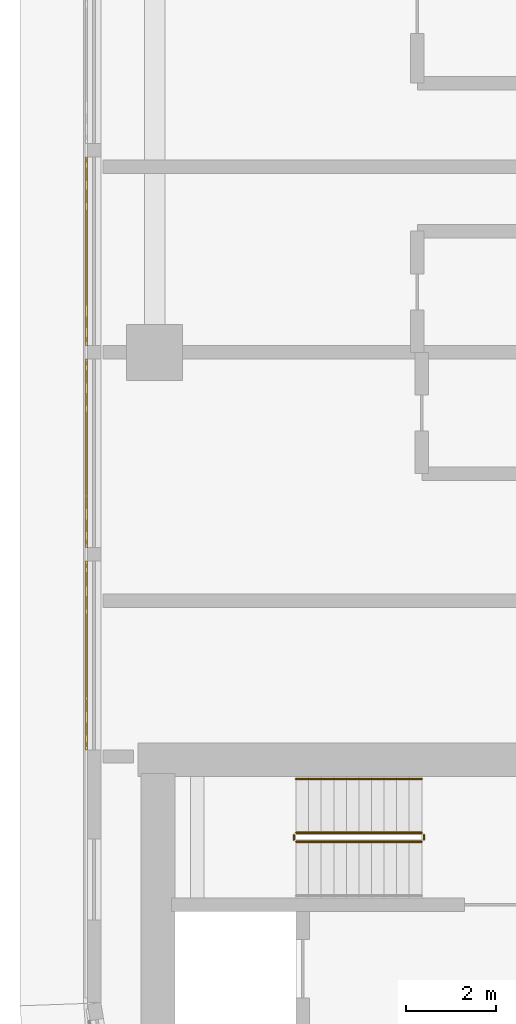
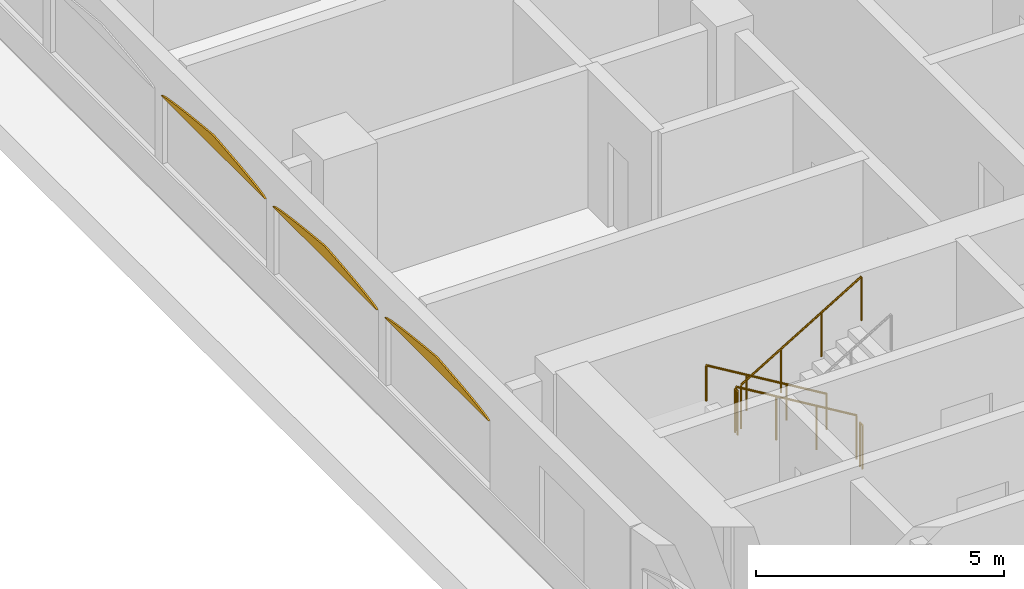
# One storey, part 18 of 25: 5 railings, 3 coverings.
"""IFC4 building model written with IfcOpenShell, lengths in metres."""

from ifc_helpers import new_model, si_unit, direction, frame, origin, origin_2d, place, context, subcontext, project, spatial, polyline, circle, outline, extrude, material, layer, layer_set, type_object, element, save


model = new_model("IFC4")

# Units and contexts
model_context = context("Model", 3, precision=1e-05, world=origin(), true_north=direction((0.0, 1.0)))
body_context = subcontext(model_context, "Body", "Model", "MODEL_VIEW")
ifc_project = project(units=[si_unit("LENGTHUNIT", "METRE"), si_unit("AREAUNIT", "SQUARE_METRE"), si_unit("VOLUMEUNIT", "CUBIC_METRE"), si_unit("PLANEANGLEUNIT", "RADIAN"), si_unit("MASSUNIT", "GRAM", prefix="KILO")], contexts=[model_context])

# Site, building, storey
site_placement = place(None, origin())
site = spatial("IfcSite", under=ifc_project, at=site_placement, CompositionType="ELEMENT")
building_placement = place(site_placement, origin())
building = spatial("IfcBuilding", under=site, at=building_placement, Name="Ogive Portal Towers", CompositionType="ELEMENT")
storey_placement = place(building_placement, frame((0.0, 0.0, 105.60009765625)))
storey = spatial("IfcBuildingStorey", under=building, at=storey_placement, Name="L25", CompositionType="ELEMENT", Elevation=105.60009765625)

# Railings
ifc_material_1 = material(Name="Stainless steel balustrade", Category="steel")
railing_type_1 = type_object("IfcRailingType", Name="INT-GUARD", PredefinedType="GUARDRAIL", material=ifc_material_1)
railing_1_placement = place(storey_placement, frame((37.449951171875, 37.800048828125, 0.16796875)))
element("IfcRailing", 1, at=railing_1_placement, inside=storey, type_object=railing_type_1, Name="L25 ST-A1 stair guard 1", PredefinedType="GUARDRAIL", context=body_context, shape_type="SweptSolid", body=[
    extrude(circle(Radius=0.02392578125, at=origin_2d()), frame((0.0, 0.0, 1.076171875), z_axis=(-0.857242210791, 0.0, 0.514913383045), x_axis=(0.0, -1.0, 0.0)), (0.0, 0.0, 1.0), 3.266357421875),
    extrude(circle(Radius=0.02099609375, at=origin_2d()), origin(), (0.0, 0.0, 1.0), 1.052001953125),
    extrude(circle(Radius=0.02099609375, at=origin_2d()), frame((-0.933349609375, 0.0, 0.560546875)), (0.0, 0.0, 1.0), 1.052001953125),
    extrude(circle(Radius=0.02099609375, at=origin_2d()), frame((-1.86669921875, 0.0, 1.121337890625)), (0.0, 0.0, 1.0), 1.052001953125),
    extrude(circle(Radius=0.02099609375, at=origin_2d()), frame((-2.800048828125, 0.0, 1.681884765625)), (0.0, 0.0, 1.0), 1.052001953125),
])
railing_2_placement = place(storey_placement, frame((34.60009765625, 37.75, 1.849853515625)))
element("IfcRailing", 2, at=railing_2_placement, inside=storey, type_object=railing_type_1, Name="L25 ST-A1 stair guard 2", PredefinedType="GUARDRAIL", context=body_context, shape_type="SweptSolid", body=[
    extrude(circle(Radius=0.02392578125, at=origin_2d()), frame((0.0, 0.0, 1.076171875), z_axis=(0.0, -1.0, 0.0), x_axis=(1.0, 0.0, 0.0)), (0.0, 0.0, 1.0), 0.10009765625),
    extrude(circle(Radius=0.02099609375, at=origin_2d()), origin(), (0.0, 0.0, 1.0), 1.052001953125),
    extrude(circle(Radius=0.02099609375, at=origin_2d()), frame((0.0, -0.10009765625, 0.0)), (0.0, 0.0, 1.0), 1.052001953125),
])
railing_3_placement = place(storey_placement, frame((34.64990234375, 37.60009765625, 2.01806640625)))
element("IfcRailing", 3, at=railing_3_placement, inside=storey, type_object=railing_type_1, Name="L25 ST-A1 stair guard 3", PredefinedType="GUARDRAIL", context=body_context, shape_type="SweptSolid", body=[
    extrude(circle(Radius=0.02392578125, at=origin_2d()), frame((0.0, 0.0, 1.076171875), z_axis=(0.857242210791, 0.0, 0.514913383045), x_axis=(0.0, 1.0, 0.0)), (0.0, 0.0, 1.0), 3.266357421875),
    extrude(circle(Radius=0.02099609375, at=origin_2d()), origin(), (0.0, 0.0, 1.0), 1.052001953125),
    extrude(circle(Radius=0.02099609375, at=origin_2d()), frame((0.933349609375, 0.0, 0.560546875)), (0.0, 0.0, 1.0), 1.052001953125),
    extrude(circle(Radius=0.02099609375, at=origin_2d()), frame((1.86669921875, 0.0, 1.121337890625)), (0.0, 0.0, 1.0), 1.052001953125),
    extrude(circle(Radius=0.02099609375, at=origin_2d()), frame((2.800048828125, 0.0, 1.681884765625)), (0.0, 0.0, 1.0), 1.052001953125),
])
railing_4_placement = place(storey_placement, frame((37.5, 37.75, 0.0)))
element("IfcRailing", 4, at=railing_4_placement, inside=storey, type_object=railing_type_1, Name="L25 ST-A1 stair guard 4", PredefinedType="GUARDRAIL", context=body_context, shape_type="SweptSolid", body=[
    extrude(circle(Radius=0.02392578125, at=origin_2d()), frame((0.0, 0.0, 1.076171875), z_axis=(0.0, -1.0, 0.0), x_axis=(1.0, 0.0, 0.0)), (0.0, 0.0, 1.0), 0.10009765625),
    extrude(circle(Radius=0.02099609375, at=origin_2d()), origin(), (0.0, 0.0, 1.0), 1.052001953125),
    extrude(circle(Radius=0.02099609375, at=origin_2d()), frame((0.0, -0.10009765625, 0.0)), (0.0, 0.0, 1.0), 1.052001953125),
])
ifc_material_2 = material(Name="Stainless steel handrail", Category="steel")
railing_type_2 = type_object("IfcRailingType", Name="INT-HANDRAIL", PredefinedType="HANDRAIL", material=ifc_material_2)
railing_5_placement = place(storey_placement, frame((37.449951171875, 39.0, 0.16796875)))
element("IfcRailing", 5, at=railing_5_placement, inside=storey, type_object=railing_type_2, Name="L25 ST-A1 stair handrail 1", PredefinedType="HANDRAIL", context=body_context, shape_type="SweptSolid", body=[
    extrude(circle(Radius=0.02392578125, at=origin_2d()), frame((0.0, 0.0, 0.8759765625), z_axis=(-0.857242210791, 0.0, 0.514913383045), x_axis=(0.0, -1.0, 0.0)), (0.0, 0.0, 1.0), 3.266357421875),
    extrude(circle(Radius=0.02099609375, at=origin_2d()), origin(), (0.0, 0.0, 1.0), 0.851806640625),
    extrude(circle(Radius=0.02099609375, at=origin_2d()), frame((-0.933349609375, 0.0, 0.560546875)), (0.0, 0.0, 1.0), 0.851806640625),
    extrude(circle(Radius=0.02099609375, at=origin_2d()), frame((-1.86669921875, 0.0, 1.121337890625)), (0.0, 0.0, 1.0), 0.851806640625),
    extrude(circle(Radius=0.02099609375, at=origin_2d()), frame((-2.800048828125, 0.0, 1.681884765625)), (0.0, 0.0, 1.0), 0.851806640625),
])

# Coverings
ifc_material_3 = material(Name="Limestone cladding on lightweight block wall", Category="masonry")
ifc_layer = layer(ifc_material_3, 0.0400390625)
ifc_layer_set = layer_set([ifc_layer], Name="LANCET HEAD STONE")
covering_type = type_object("IfcCoveringType", Name="LANCET HEAD STONE", PredefinedType="CLADDING", material=ifc_layer_set)
for number, where, z_axis, x_axis, name in (
    (6, (30.0, 52.85009765625, 2.599853515625), (0.999948962386, 0.0, 0.010103099685), (0.0, -1.0, 0.0), "Lancet head"),
    (7, (30.0, 48.35009765625, 2.599853515625), (0.999948962386, 0.0, 0.010103099685), (0.0, -1.0, 0.0), "Lancet head"),
    (8, (30.0, 43.85009765625, 2.599853515625), (0.999948962386, 0.0, 0.010103099685), (0.0, -1.0, 0.0), "Lancet head"),
):
    element("IfcCovering", number, at=place(storey_placement, frame(where, z_axis=z_axis, x_axis=x_axis)), inside=storey, type_object=covering_type, Name=name, PredefinedType="CLADDING", context=body_context, shape_type="SweptSolid", body=[
        extrude(outline(polyline([(0.0, 0.0), (4.2001953125, 0.0), (4.107177734375, -0.03760067050947447), (3.9375, -0.07495474627723249), (3.7177734375, -0.11255541678670695), (3.45751953125, -0.15015362071910998), (3.162353515625, -0.18751016306393944), (2.836181640625, -0.22510836699634246), (2.481201171875, -0.2624649093411719), (2.10009765625, -0.30006311327357493), (1.718994140625, -0.2624649093411719), (1.364013671875, -0.22510836699634246), (1.037841796875, -0.18751016306393944), (0.74267578125, -0.15015362071910998), (0.482421875, -0.11255541678670695), (0.2626953125, -0.07495474627723249), (0.093017578125, -0.03760067050947447), (0.0, 0.0)])), origin(), (0.0, 0.0, -1.0), 0.0400390625),
    ])

save(model, "model.ifc")
